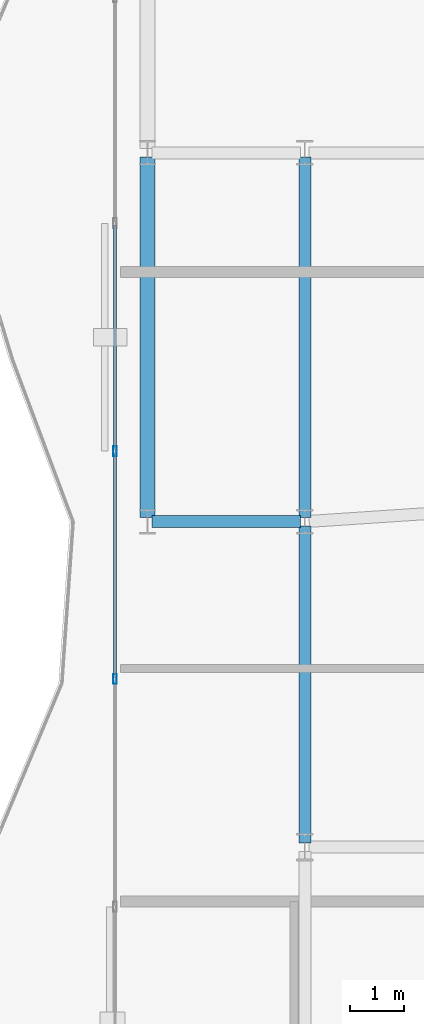
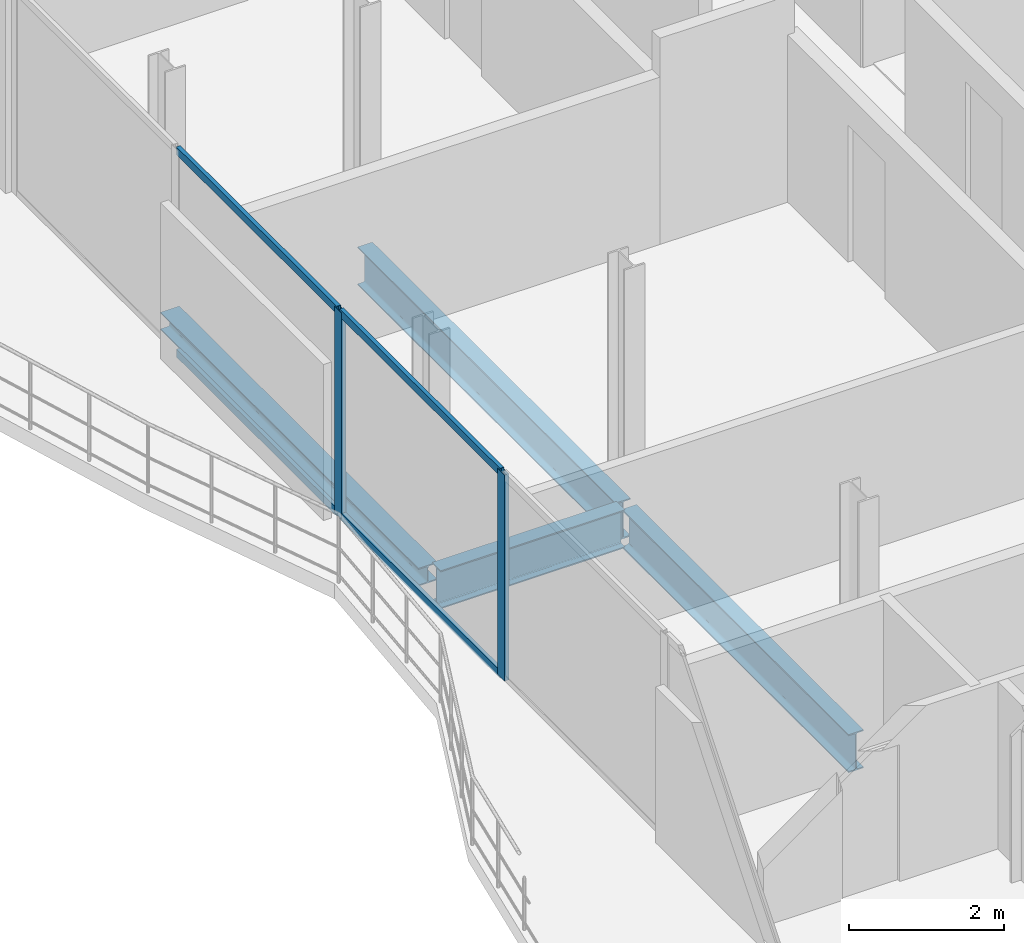
# One storey, part 7 of 23: 6 members, 4 beams, 1 element without a shape of its own.
"""IFC4 building model written with IfcOpenShell, lengths in metres."""

from ifc_helpers import new_model, si_unit, direction, frame, origin, origin_2d, place, context, subcontext, project, spatial, hollow_rectangle, i_section, extrude, material, layer, layer_set, material_profile, profile_set, type_object, element, aggregate, save


model = new_model("IFC4")

# Units and contexts
model_context = context("Model", 3, precision=1e-05, world=origin(), true_north=direction((0.0, 1.0)))
body_context = subcontext(model_context, "Body", "Model", "MODEL_VIEW")
ifc_project = project(units=[si_unit("LENGTHUNIT", "METRE"), si_unit("AREAUNIT", "SQUARE_METRE"), si_unit("VOLUMEUNIT", "CUBIC_METRE"), si_unit("PLANEANGLEUNIT", "RADIAN"), si_unit("MASSUNIT", "GRAM", prefix="KILO")], contexts=[model_context])

# Site, building, storey
site_placement = place(None, origin())
site = spatial("IfcSite", under=ifc_project, at=site_placement, CompositionType="ELEMENT")
building_placement = place(site_placement, origin())
building = spatial("IfcBuilding", under=site, at=building_placement, Name="Catumbela Crestline Tower", CompositionType="ELEMENT")
storey_placement = place(building_placement, frame((0.0, 0.0, 204.6)))
storey = spatial("IfcBuildingStorey", under=building, at=storey_placement, Name="L53", CompositionType="ELEMENT", Elevation=204.6)

# Beams
ifc_material_1 = material(Name="Structural steel S355J2", Category="steel")
ifc_material_profile_1 = material_profile(ifc_material_1, i_section(OverallWidth=0.22, OverallDepth=0.6, WebThickness=0.012, FlangeThickness=0.019, FilletRadius=0.024, at=origin_2d()), Name="IPE 600")
ifc_profile_set_1 = profile_set([ifc_material_profile_1], Name="Structural steel S355J2")
beam_type_1 = type_object("IfcBeamType", Name="BG-IPE600", PredefinedType="BEAM", material=ifc_profile_set_1)
beam_1_placement = place(storey_placement, frame((5.68, 24.0, -0.56), z_axis=(1.0, 0.0, 0.0), x_axis=(0.0, 1.0, 0.0)))
element("IfcBeam", 1, at=beam_1_placement, inside=storey, type_object=beam_type_1, Name="L53 Beam BM-L53-S01", PredefinedType="BEAM", context=body_context, shape_type="SweptSolid", body=[
    extrude(i_section(OverallWidth=0.22, OverallDepth=0.6, WebThickness=0.012, FlangeThickness=0.019, FilletRadius=0.024, at=origin_2d()), origin(), (0.0, 0.0, 1.0), 2.74),
])
beam_2_placement = place(storey_placement, frame((8.5, 24.08, -0.56), z_axis=(0.0, 1.0, 0.0), x_axis=(-1.0, 0.0, 0.0)))
element("IfcBeam", 2, at=beam_2_placement, inside=storey, type_object=beam_type_1, Name="L53 Beam BM-L53-SN16", PredefinedType="BEAM", context=body_context, shape_type="SweptSolid", body=[
    extrude(i_section(OverallWidth=0.22, OverallDepth=0.6, WebThickness=0.012, FlangeThickness=0.019, FilletRadius=0.024, at=origin_2d()), origin(), (0.0, 0.0, 1.0), 6.64),
])
beam_3_placement = place(storey_placement, frame((8.5, 18.08, -0.56), z_axis=(0.0, 1.0, 0.0), x_axis=(-1.0, 0.0, 0.0)))
element("IfcBeam", 3, at=beam_3_placement, inside=storey, type_object=beam_type_1, Name="L53 Beam BM-L53-WNS39", PredefinedType="BEAM", context=body_context, shape_type="SweptSolid", body=[
    extrude(i_section(OverallWidth=0.22, OverallDepth=0.6, WebThickness=0.012, FlangeThickness=0.019, FilletRadius=0.024, at=origin_2d()), origin(), (0.0, 0.0, 1.0), 5.84),
])

# Curtain wall, members
ifc_material_2 = material(Name="Aluminium alloy AW-6060-T66", Category="aluminium")
ifc_layer = layer(ifc_material_2, 0.18, Name="Aluminium alloy AW-6060-T66")
ifc_layer_set = layer_set([ifc_layer], Name="Aluminium alloy AW-6060-T66")
curtain_wall_type = type_object("IfcCurtainWallType", Name="CWU-Z3", PredefinedType="USERDEFINED", material=ifc_layer_set)
curtain_wall_placement = place(storey_placement, origin())
curtain_wall = element("IfcCurtainWall", 4, at=curtain_wall_placement, inside=storey, type_object=curtain_wall_type, Name="L53 Unitised Curtain Wall CW-L53-E9S2", ObjectType="UNITISED", PredefinedType="USERDEFINED")
ifc_material_profile_2 = material_profile(ifc_material_2, hollow_rectangle(XDim=0.065, YDim=0.18, WallThickness=0.004, at=origin_2d()), Name="ALU 180x65x4")
ifc_profile_set_2 = profile_set([ifc_material_profile_2], Name="Aluminium alloy AW-6060-T66")
member_type_1 = type_object("IfcMemberType", Name="MUL-180X65", PredefinedType="MULLION", material=ifc_profile_set_2)
member_1_placement = place(storey_placement, frame((5.0, 25.3, 0.0), z_axis=(0.0, 0.0, 1.0), x_axis=(1.0, 0.0, 0.0)))
member_1 = element("IfcMember", 5, at=member_1_placement, type_object=member_type_1, Name="CWU-Z3 mullion 3", PredefinedType="MULLION", context=body_context, shape_type="SweptSolid", body=[
    extrude(hollow_rectangle(XDim=0.065, YDim=0.18, WallThickness=0.004, at=origin_2d()), origin(), (0.0, 0.0, 1.0), 3.24),
])
member_2_placement = place(storey_placement, frame((5.0, 21.1, 0.0), z_axis=(0.0, 0.0, 1.0), x_axis=(1.0, 0.0, 0.0)))
member_2 = element("IfcMember", 6, at=member_2_placement, type_object=member_type_1, Name="CWU-Z3 mullion 4", PredefinedType="MULLION", context=body_context, shape_type="SweptSolid", body=[
    extrude(hollow_rectangle(XDim=0.065, YDim=0.18, WallThickness=0.004, at=origin_2d()), origin(), (0.0, 0.0, 1.0), 3.24),
])

# Beam
ifc_material_profile_3 = material_profile(ifc_material_1, i_section(OverallWidth=0.28, OverallDepth=0.28, WebThickness=0.0105, FlangeThickness=0.018, FilletRadius=0.024, at=origin_2d()), Name="HEB 280")
ifc_profile_set_3 = profile_set([ifc_material_profile_3], Name="Structural steel S355J2")
beam_type_2 = type_object("IfcBeamType", Name="BS-HEB280", PredefinedType="SPANDREL", material=ifc_profile_set_3)
beam_4_placement = place(storey_placement, frame((5.6, 24.08, -0.4), z_axis=(0.0, 1.0, 0.0), x_axis=(-1.0, 0.0, 0.0)))
element("IfcBeam", 7, at=beam_4_placement, inside=storey, type_object=beam_type_2, Name="L53 Spandrel SP-L53-SN14", PredefinedType="SPANDREL", context=body_context, shape_type="SweptSolid", body=[
    extrude(i_section(OverallWidth=0.28, OverallDepth=0.28, WebThickness=0.0105, FlangeThickness=0.018, FilletRadius=0.024, at=origin_2d()), origin(), (0.0, 0.0, 1.0), 6.64),
])

# Member
ifc_material_profile_4 = material_profile(ifc_material_2, hollow_rectangle(XDim=0.06, YDim=0.12, WallThickness=0.0035, at=origin_2d()), Name="ALU 120x60x3.5")
ifc_profile_set_4 = profile_set([ifc_material_profile_4], Name="Aluminium alloy AW-6060-T66")
member_type_2 = type_object("IfcMemberType", Name="TRN-120X60", PredefinedType="USERDEFINED", material=ifc_profile_set_4)
member_3_placement = place(storey_placement, frame((5.0, 29.4675, 0.03), z_axis=(0.0, -1.0, 0.0), x_axis=(1.0, 0.0, 0.0)))
member_3 = element("IfcMember", 8, at=member_3_placement, type_object=member_type_2, Name="CWU-Z3 transom 2.1", ObjectType="TRANSOM", PredefinedType="USERDEFINED", context=body_context, shape_type="SweptSolid", body=[
    extrude(hollow_rectangle(XDim=0.06, YDim=0.12, WallThickness=0.0035, at=origin_2d()), origin(), (0.0, 0.0, 1.0), 4.135),
])

member_4_placement = place(storey_placement, frame((5.0, 29.4675, 3.21), z_axis=(0.0, -1.0, 0.0), x_axis=(1.0, 0.0, 0.0)))
member_4 = element("IfcMember", 9, at=member_4_placement, type_object=member_type_2, Name="CWU-Z3 transom 2.2", ObjectType="TRANSOM", PredefinedType="USERDEFINED", context=body_context, shape_type="SweptSolid", body=[
    extrude(hollow_rectangle(XDim=0.06, YDim=0.12, WallThickness=0.0035, at=origin_2d()), origin(), (0.0, 0.0, 1.0), 4.135),
])

member_5_placement = place(storey_placement, frame((5.0, 25.2675, 0.03), z_axis=(0.0, -1.0, 0.0), x_axis=(1.0, 0.0, 0.0)))
member_5 = element("IfcMember", 10, at=member_5_placement, type_object=member_type_2, Name="CWU-Z3 transom 3.1", ObjectType="TRANSOM", PredefinedType="USERDEFINED", context=body_context, shape_type="SweptSolid", body=[
    extrude(hollow_rectangle(XDim=0.06, YDim=0.12, WallThickness=0.0035, at=origin_2d()), origin(), (0.0, 0.0, 1.0), 4.135),
])

member_6_placement = place(storey_placement, frame((5.0, 25.2675, 3.21), z_axis=(0.0, -1.0, 0.0), x_axis=(1.0, 0.0, 0.0)))
member_6 = element("IfcMember", 11, at=member_6_placement, type_object=member_type_2, Name="CWU-Z3 transom 3.2", ObjectType="TRANSOM", PredefinedType="USERDEFINED", context=body_context, shape_type="SweptSolid", body=[
    extrude(hollow_rectangle(XDim=0.06, YDim=0.12, WallThickness=0.0035, at=origin_2d()), origin(), (0.0, 0.0, 1.0), 4.135),
])

aggregate(curtain_wall, [member_1, member_2, member_3, member_4, member_5, member_6])

save(model, "model.ifc")
